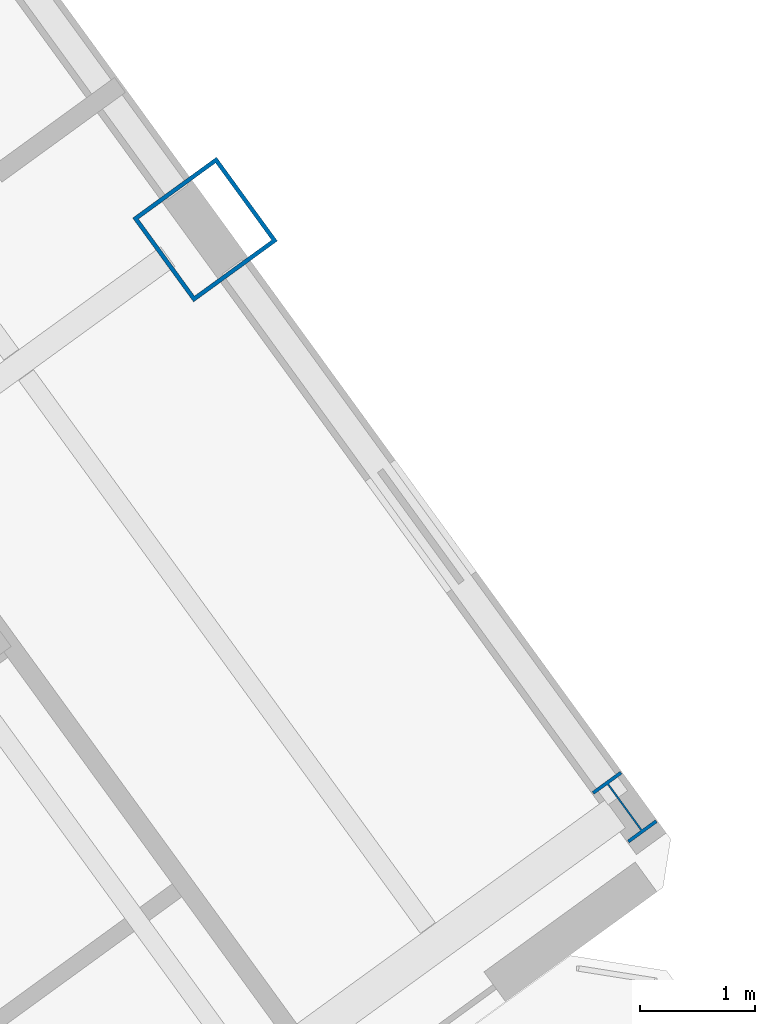
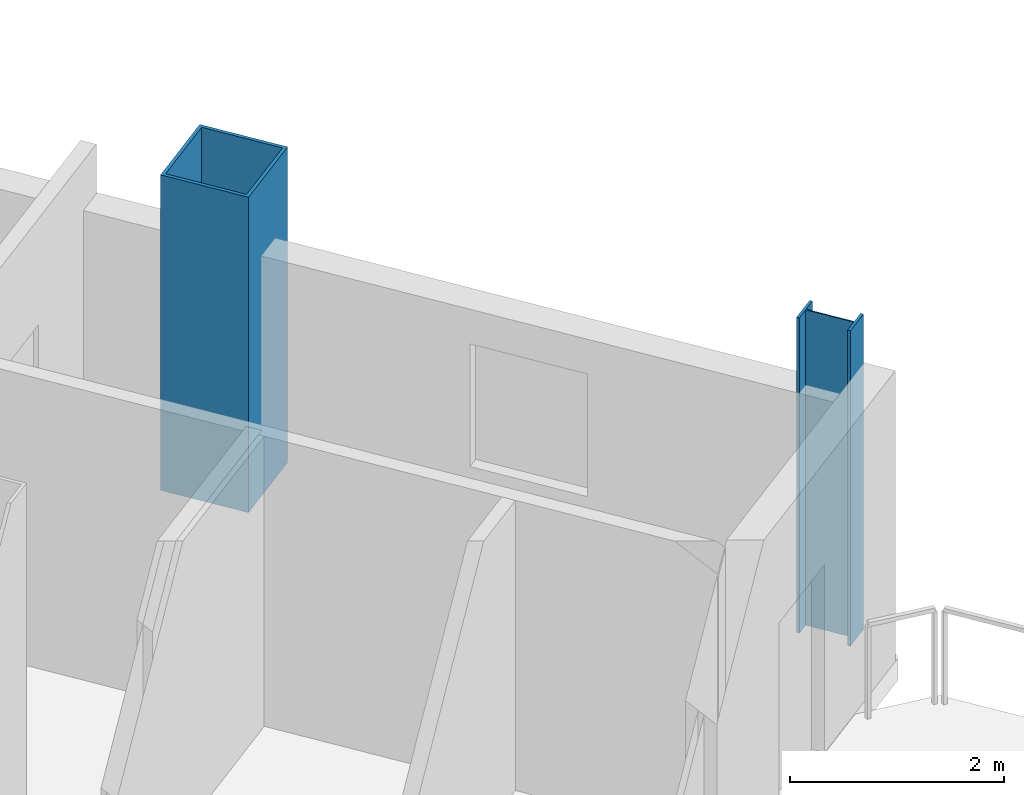
# One storey, part 4 of 18: 2 columns.
"""IFC4 building model written with IfcOpenShell, lengths in metres."""

from ifc_helpers import new_model, si_unit, direction, frame, origin, origin_2d, place, context, subcontext, project, spatial, hollow_rectangle, i_section, extrude, source, transform, mapped, material, material_profile, profile_set, type_object, element, save


model = new_model("IFC4")

# Units and contexts
model_context = context("Model", 3, precision=1e-05, world=origin(), true_north=direction((0.0, 1.0)))
body_context = subcontext(model_context, "Body", "Model", "MODEL_VIEW")
ifc_project = project(units=[si_unit("LENGTHUNIT", "METRE"), si_unit("AREAUNIT", "SQUARE_METRE"), si_unit("VOLUMEUNIT", "CUBIC_METRE"), si_unit("PLANEANGLEUNIT", "RADIAN"), si_unit("MASSUNIT", "GRAM", prefix="KILO")], contexts=[model_context])

# Site, building, storey
site_placement = place(None, origin())
site = spatial("IfcSite", under=ifc_project, at=site_placement, CompositionType="ELEMENT")
building_placement = place(site_placement, origin())
building = spatial("IfcBuilding", under=site, at=building_placement, Name="Tlacorven Tower", CompositionType="ELEMENT")
storey_placement = place(building_placement, frame((0.0, 0.0, 132.60009765625)))
storey = spatial("IfcBuildingStorey", under=building, at=storey_placement, Name="L33", CompositionType="ELEMENT", Elevation=132.60009765625)

# Columns
ifc_material = material(Name="Steel S460M", Category="steel")
ifc_material_profile_1 = material_profile(ifc_material, hollow_rectangle(XDim=0.89990234375, YDim=0.89990234375, WallThickness=0.035888671875, at=origin_2d()), Name="BOX 900X900X36")
ifc_profile_set_1 = profile_set([ifc_material_profile_1], Name="Steel S460M")
column_type_1 = type_object("IfcColumnType", Name="COL-TWR-S2", PredefinedType="COLUMN", material=ifc_profile_set_1)
shared_shape_1 = source(origin(), body_context, "Body", "SweptSolid", [
    extrude(hollow_rectangle(XDim=0.89990234375, YDim=0.89990234375, WallThickness=0.035888671875, at=origin_2d()), origin(), (0.0, 0.0, 1.0), 3.599853515625),
])
column_1_placement = place(storey_placement, frame((67.267822265625, 23.353515625, 0.0), z_axis=(0.0, 0.0, 1.0), x_axis=(0.809016994375, 0.587785252292, 0.0)))
element("IfcColumn", 1, at=column_1_placement, inside=storey, type_object=column_type_1, Name="L33 column COL-L33-E4-2", PredefinedType="COLUMN", context=body_context, shape_type="MappedRepresentation", body=[
    mapped(shared_shape_1, transform((0.0, 0.0, 0.0), scale=1.0)),
])
ifc_material_profile_2 = material_profile(ifc_material, i_section(OverallWidth=0.300048828125, OverallDepth=0.550048828125, WebThickness=0.014892578125, FlangeThickness=0.029052734375, at=origin_2d()), Name="HEB 550")
ifc_profile_set_2 = profile_set([ifc_material_profile_2], Name="Steel S460M")
column_type_2 = type_object("IfcColumnType", Name="COL-TWR-P2", PredefinedType="COLUMN", material=ifc_profile_set_2)
shared_shape_2 = source(origin(), body_context, "Body", "SweptSolid", [
    extrude(i_section(OverallWidth=0.300048828125, OverallDepth=0.550048828125, WebThickness=0.014892578125, FlangeThickness=0.029052734375, at=origin_2d()), origin(), (0.0, 0.0, 1.0), 3.599853515625),
])
column_2_placement = place(storey_placement, frame((70.911865234375, 18.337646484375, 0.0), z_axis=(0.0, 0.0, 1.0), x_axis=(0.809016994375, 0.587785252292, 0.0)))
element("IfcColumn", 2, at=column_2_placement, inside=storey, type_object=column_type_2, Name="L33 column COL-L33-E4-1", PredefinedType="COLUMN", context=body_context, shape_type="MappedRepresentation", body=[
    mapped(shared_shape_2, transform((0.0, 0.0, 0.0), scale=1.0)),
])

save(model, "model.ifc")
